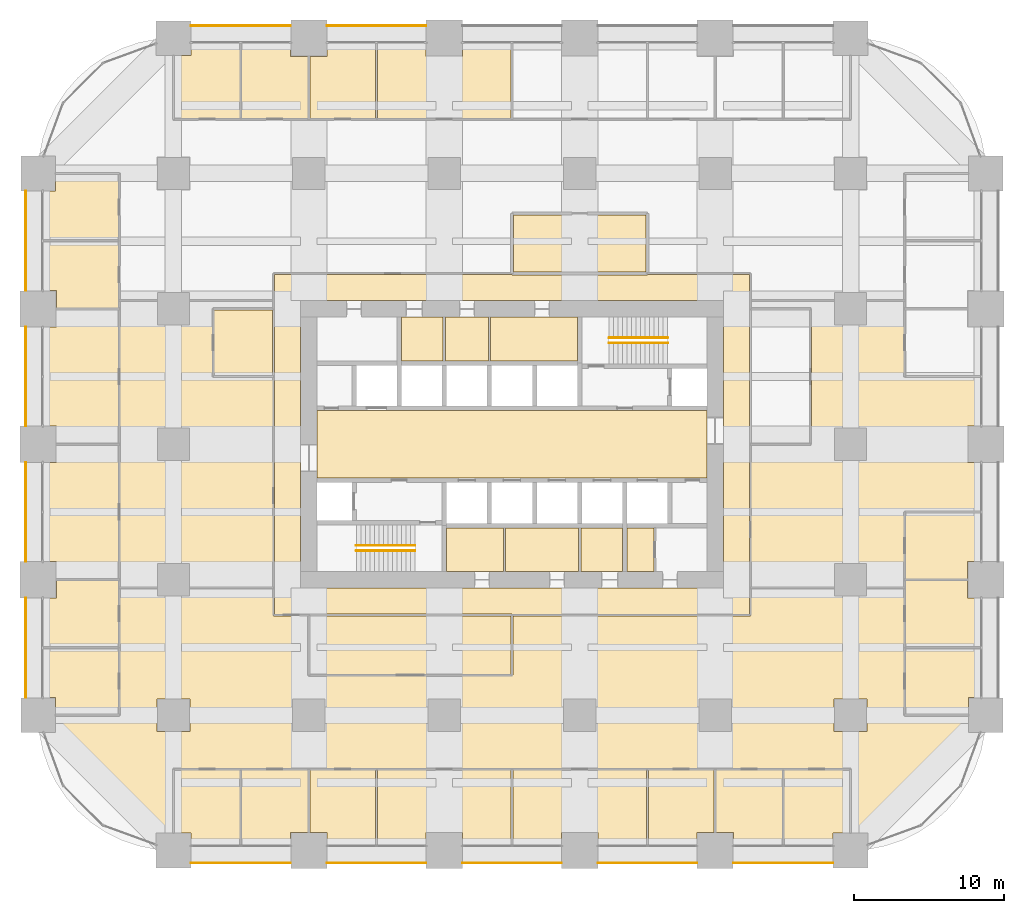
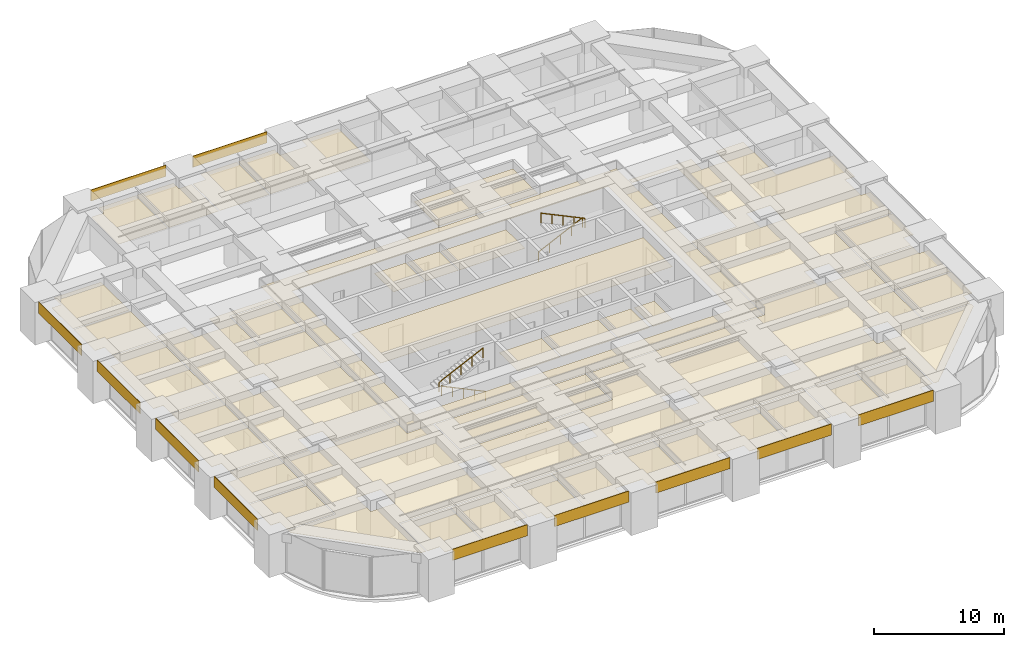
# One storey, part 44 of 45: 47 coverings, 4 railings.
"""IFC4 building model written with IfcOpenShell, lengths in metres."""

from ifc_helpers import new_model, si_unit, direction, frame, frame_2d, origin, origin_2d, place, context, subcontext, project, spatial, polyline, rectangle, circle, outline, extrude, material, layer, layer_set, type_object, element, save


model = new_model("IFC4")

# Units and contexts
model_context = context("Model", 3, precision=1e-05, world=origin(), true_north=direction((0.0, 1.0)))
body_context = subcontext(model_context, "Body", "Model", "MODEL_VIEW")
ifc_project = project(units=[si_unit("LENGTHUNIT", "METRE"), si_unit("AREAUNIT", "SQUARE_METRE"), si_unit("VOLUMEUNIT", "CUBIC_METRE"), si_unit("PLANEANGLEUNIT", "RADIAN"), si_unit("MASSUNIT", "GRAM", prefix="KILO")], contexts=[model_context])

# Site, building, storey
site_placement = place(None, origin())
site = spatial("IfcSite", under=ifc_project, at=site_placement, CompositionType="ELEMENT")
building_placement = place(site_placement, origin())
building = spatial("IfcBuilding", under=site, at=building_placement, Name="Zorevar Civic Tower", CompositionType="ELEMENT")
storey_placement = place(building_placement, frame((0.0, 0.0, 71.800048828125)))
storey = spatial("IfcBuildingStorey", under=building, at=storey_placement, Name="L17", CompositionType="ELEMENT", Elevation=71.800048828125)

# Railings
ifc_material_1 = material(Name="Black steel handrail", Category="steel")
railing_type = type_object("IfcRailingType", Name="Handrail HR1 900", PredefinedType="HANDRAIL", material=ifc_material_1)
railing_1_placement = place(storey_placement, frame((25.050048828125, 19.925048828125, 0.142822265625)))
element("IfcRailing", 1, at=railing_1_placement, inside=storey, type_object=railing_type, Name="Handrail HR1 ST1 L17", PredefinedType="HANDRAIL", context=body_context, shape_type="SweptSolid", body=[
    extrude(circle(Radius=0.02392578125, at=origin_2d()), frame((0.0, 0.0, 0.8759765625), z_axis=(-0.902863652845, 0.0, 0.429926998885), x_axis=(0.0, -1.0, 0.0)), (0.0, 0.0, 1.0), 4.31982421875),
    extrude(circle(Radius=0.02099609375, at=origin_2d()), origin(), (0.0, 0.0, 1.0), 0.851806640625),
    extrude(circle(Radius=0.02099609375, at=origin_2d()), frame((-0.97509765625, 0.0, 0.46435546875)), (0.0, 0.0, 1.0), 0.851806640625),
    extrude(circle(Radius=0.02099609375, at=origin_2d()), frame((-1.9501953125, 0.0, 0.9287109375)), (0.0, 0.0, 1.0), 0.851806640625),
    extrude(circle(Radius=0.02099609375, at=origin_2d()), frame((-2.925048828125, 0.0, 1.392822265625)), (0.0, 0.0, 1.0), 0.851806640625),
    extrude(circle(Radius=0.02099609375, at=origin_2d()), frame((-3.900146484375, 0.0, 1.857177734375)), (0.0, 0.0, 1.0), 0.851806640625),
])
for number, where, name in (
    (2, (21.14990234375, 20.27490234375, 2.142822265625), "Handrail HR1 ST1 L17"),
    (3, (37.949951171875, 34.074951171875, 0.142822265625), "Handrail HR1 ST2 L17"),
):
    element("IfcRailing", number, at=place(storey_placement, frame(where)), inside=storey, type_object=railing_type, Name=name, PredefinedType="HANDRAIL", context=body_context, shape_type="SweptSolid", body=[
        extrude(circle(Radius=0.02392578125, at=origin_2d()), frame((0.0, 0.0, 0.8759765625), z_axis=(0.902863652845, 0.0, 0.429926998885), x_axis=(0.0, 1.0, 0.0)), (0.0, 0.0, 1.0), 4.31982421875),
        extrude(circle(Radius=0.02099609375, at=origin_2d()), origin(), (0.0, 0.0, 1.0), 0.851806640625),
        extrude(circle(Radius=0.02099609375, at=origin_2d()), frame((0.97509765625, 0.0, 0.46435546875)), (0.0, 0.0, 1.0), 0.851806640625),
        extrude(circle(Radius=0.02099609375, at=origin_2d()), frame((1.9501953125, 0.0, 0.9287109375)), (0.0, 0.0, 1.0), 0.851806640625),
        extrude(circle(Radius=0.02099609375, at=origin_2d()), frame((2.925048828125, 0.0, 1.392822265625)), (0.0, 0.0, 1.0), 0.851806640625),
        extrude(circle(Radius=0.02099609375, at=origin_2d()), frame((3.900146484375, 0.0, 1.857177734375)), (0.0, 0.0, 1.0), 0.851806640625),
    ])
railing_2_placement = place(storey_placement, frame((41.85009765625, 33.72509765625, 2.142822265625)))
element("IfcRailing", 4, at=railing_2_placement, inside=storey, type_object=railing_type, Name="Handrail HR1 ST2 L17", PredefinedType="HANDRAIL", context=body_context, shape_type="SweptSolid", body=[
    extrude(circle(Radius=0.02392578125, at=origin_2d()), frame((0.0, 0.0, 0.8759765625), z_axis=(-0.902863652845, 0.0, 0.429926998885), x_axis=(0.0, -1.0, 0.0)), (0.0, 0.0, 1.0), 4.31982421875),
    extrude(circle(Radius=0.02099609375, at=origin_2d()), origin(), (0.0, 0.0, 1.0), 0.851806640625),
    extrude(circle(Radius=0.02099609375, at=origin_2d()), frame((-0.97509765625, 0.0, 0.46435546875)), (0.0, 0.0, 1.0), 0.851806640625),
    extrude(circle(Radius=0.02099609375, at=origin_2d()), frame((-1.9501953125, 0.0, 0.9287109375)), (0.0, 0.0, 1.0), 0.851806640625),
    extrude(circle(Radius=0.02099609375, at=origin_2d()), frame((-2.925048828125, 0.0, 1.392822265625)), (0.0, 0.0, 1.0), 0.851806640625),
    extrude(circle(Radius=0.02099609375, at=origin_2d()), frame((-3.900146484375, 0.0, 1.857177734375)), (0.0, 0.0, 1.0), 0.851806640625),
])

# Coverings
ifc_material_2 = material(Name="Moisture-resistant gypsum board")
ifc_layer_1 = layer(ifc_material_2, 0.012451171875)
ifc_layer_set_1 = layer_set([ifc_layer_1], Name="Moisture-resistant ceiling SC3")
covering_type_1 = type_object("IfcCoveringType", Name="Moisture-resistant ceiling SC3", PredefinedType="CEILING", material=ifc_layer_set_1)
covering_1_placement = place(storey_placement, frame((0.0, 0.0, 3.0)))
element("IfcCovering", 5, at=covering_1_placement, inside=storey, type_object=covering_type_1, Name="Ceiling L17-05", PredefinedType="CEILING", context=body_context, shape_type="SweptSolid", body=[
    extrude(outline(polyline([(30.925048828125, 18.550048828125), (30.925048828125, 21.449951171875), (27.14990234375, 21.449951171875), (27.14990234375, 18.550048828125), (30.925048828125, 18.550048828125)])), origin(), (0.0, 0.0, 1.0), 0.012451171875),
])
covering_2_placement = place(storey_placement, frame((0.0, 0.0, 3.0)))
element("IfcCovering", 6, at=covering_2_placement, inside=storey, type_object=covering_type_1, Name="Ceiling L17-06", PredefinedType="CEILING", context=body_context, shape_type="SweptSolid", body=[
    extrude(outline(polyline([(35.925048828125, 18.550048828125), (35.925048828125, 21.449951171875), (31.074951171875, 21.449951171875), (31.074951171875, 18.550048828125), (35.925048828125, 18.550048828125)])), origin(), (0.0, 0.0, 1.0), 0.012451171875),
])
covering_3_placement = place(storey_placement, frame((0.0, 0.0, 3.0)))
element("IfcCovering", 7, at=covering_3_placement, inside=storey, type_object=covering_type_1, Name="Ceiling L17-07", PredefinedType="CEILING", context=body_context, shape_type="SweptSolid", body=[
    extrude(outline(polyline([(38.85009765625, 18.550048828125), (38.85009765625, 21.449951171875), (36.074951171875, 21.449951171875), (36.074951171875, 18.550048828125), (38.85009765625, 18.550048828125)])), origin(), (0.0, 0.0, 1.0), 0.012451171875),
])
covering_4_placement = place(storey_placement, frame((0.0, 0.0, 3.0)))
element("IfcCovering", 8, at=covering_4_placement, inside=storey, type_object=covering_type_1, Name="Ceiling L17-10", PredefinedType="CEILING", context=body_context, shape_type="SweptSolid", body=[
    extrude(outline(polyline([(26.925048828125, 32.550048828125), (26.925048828125, 35.449951171875), (24.14990234375, 35.449951171875), (24.14990234375, 32.550048828125), (26.925048828125, 32.550048828125)])), origin(), (0.0, 0.0, 1.0), 0.012451171875),
])
ifc_material_3 = material(Name="Black anodised aluminium spandrel panel", Category="aluminium")
ifc_layer_2 = layer(ifc_material_3, 0.050048828125)
ifc_layer_set_2 = layer_set([ifc_layer_2], Name="Spandrel cladding SP1")
covering_type_2 = type_object("IfcCoveringType", Name="Spandrel cladding SP1", PredefinedType="CLADDING", material=ifc_layer_set_2)
covering_5_placement = place(storey_placement, frame((10.14990234375, -0.824951171875, 2.949951171875), z_axis=(0.0, 0.0, 1.0), x_axis=(1.0, 0.0, 0.0)))
element("IfcCovering", 9, at=covering_5_placement, inside=storey, type_object=covering_type_2, Name="Spandrel cladding L18", PredefinedType="CLADDING", context=body_context, shape_type="SweptSolid", body=[
    extrude(rectangle(XDim=6.650146484375, YDim=0.050048828125, at=frame_2d((3.3251953125, 0.0))), origin(), (0.0, 0.0, 1.0), 1.050048828125),
])
for number, where, z_axis, x_axis, name in (
    (10, (19.199951171875, -0.824951171875, 2.949951171875), (0.0, 0.0, 1.0), (1.0, 0.0, 0.0), "Spandrel cladding L18"),
    (11, (28.199951171875, -0.824951171875, 2.949951171875), (0.0, 0.0, 1.0), (1.0, 0.0, 0.0), "Spandrel cladding L18"),
    (12, (37.199951171875, -0.824951171875, 2.949951171875), (0.0, 0.0, 1.0), (1.0, 0.0, 0.0), "Spandrel cladding L18"),
):
    element("IfcCovering", number, at=place(storey_placement, frame(where, z_axis=z_axis, x_axis=x_axis)), inside=storey, type_object=covering_type_2, Name=name, PredefinedType="CLADDING", context=body_context, shape_type="SweptSolid", body=[
        extrude(rectangle(XDim=6.60009765625, YDim=0.050048828125, at=frame_2d((3.300048828125, 0.0))), origin(), (0.0, 0.0, 1.0), 1.050048828125),
    ])
for number, where, z_axis, x_axis, name in (
    (13, (46.199951171875, -0.824951171875, 2.949951171875), (0.0, 0.0, 1.0), (1.0, 0.0, 0.0), "Spandrel cladding L18"),
    (14, (10.14990234375, 54.824951171875, 2.949951171875), (0.0, 0.0, 1.0), (1.0, 0.0, 0.0), "Spandrel cladding L18"),
):
    element("IfcCovering", number, at=place(storey_placement, frame(where, z_axis=z_axis, x_axis=x_axis)), inside=storey, type_object=covering_type_2, Name=name, PredefinedType="CLADDING", context=body_context, shape_type="SweptSolid", body=[
        extrude(rectangle(XDim=6.650146484375, YDim=0.050048828125, at=frame_2d((3.3251953125, 0.0))), origin(), (0.0, 0.0, 1.0), 1.050048828125),
    ])
covering_6_placement = place(storey_placement, frame((19.199951171875, 54.824951171875, 2.949951171875), z_axis=(0.0, 0.0, 1.0), x_axis=(1.0, 0.0, 0.0)))
element("IfcCovering", 15, at=covering_6_placement, inside=storey, type_object=covering_type_2, Name="Spandrel cladding L18", PredefinedType="CLADDING", context=body_context, shape_type="SweptSolid", body=[
    extrude(rectangle(XDim=6.60009765625, YDim=0.050048828125, at=frame_2d((3.300048828125, 0.0))), origin(), (0.0, 0.0, 1.0), 1.050048828125),
])
covering_7_placement = place(storey_placement, frame((-0.824951171875, 10.14990234375, 2.949951171875), z_axis=(0.0, 0.0, 1.0), x_axis=(0.0, 1.0, 0.0)))
element("IfcCovering", 16, at=covering_7_placement, inside=storey, type_object=covering_type_2, Name="Spandrel cladding L18", PredefinedType="CLADDING", context=body_context, shape_type="SweptSolid", body=[
    extrude(rectangle(XDim=6.650146484375, YDim=0.050048828125, at=frame_2d((3.3251953125, 0.0))), origin(), (0.0, 0.0, 1.0), 1.050048828125),
])
for number, where, z_axis, x_axis, name in (
    (17, (-0.824951171875, 19.199951171875, 2.949951171875), (0.0, 0.0, 1.0), (0.0, 1.0, 0.0), "Spandrel cladding L18"),
    (18, (-0.824951171875, 28.199951171875, 2.949951171875), (0.0, 0.0, 1.0), (0.0, 1.0, 0.0), "Spandrel cladding L18"),
):
    element("IfcCovering", number, at=place(storey_placement, frame(where, z_axis=z_axis, x_axis=x_axis)), inside=storey, type_object=covering_type_2, Name=name, PredefinedType="CLADDING", context=body_context, shape_type="SweptSolid", body=[
        extrude(rectangle(XDim=6.60009765625, YDim=0.050048828125, at=frame_2d((3.300048828125, 0.0))), origin(), (0.0, 0.0, 1.0), 1.050048828125),
    ])
covering_8_placement = place(storey_placement, frame((-0.824951171875, 37.199951171875, 2.949951171875), z_axis=(0.0, 0.0, 1.0), x_axis=(0.0, 1.0, 0.0)))
element("IfcCovering", 19, at=covering_8_placement, inside=storey, type_object=covering_type_2, Name="Spandrel cladding L18", PredefinedType="CLADDING", context=body_context, shape_type="SweptSolid", body=[
    extrude(rectangle(XDim=6.650146484375, YDim=0.050048828125, at=frame_2d((3.3251953125, 0.0))), origin(), (0.0, 0.0, 1.0), 1.050048828125),
])
ifc_material_4 = material(Name="Mineral fibre tiles on a concealed grid")
ifc_layer_3 = layer(ifc_material_4, 0.02001953125)
ifc_layer_set_3 = layer_set([ifc_layer_3], Name="Suspended ceiling SC1")
covering_type_3 = type_object("IfcCoveringType", Name="Suspended ceiling SC1", PredefinedType="CEILING", material=ifc_layer_set_3)
covering_9_placement = place(storey_placement, frame((0.0, 0.0, 3.0)))
element("IfcCovering", 20, at=covering_9_placement, inside=storey, type_object=covering_type_3, Name="Ceiling L17-08", PredefinedType="CEILING", context=body_context, shape_type="SweptSolid", body=[
    extrude(outline(polyline([(35.85009765625, 32.550048828125), (35.85009765625, 35.449951171875), (30.06005859375, 35.449951171875), (30.06005859375, 32.550048828125), (35.85009765625, 32.550048828125)])), origin(), (0.0, 0.0, 1.0), 0.02001953125),
])
covering_10_placement = place(storey_placement, frame((0.0, 0.0, 3.0)))
element("IfcCovering", 21, at=covering_10_placement, inside=storey, type_object=covering_type_3, Name="Ceiling L17-09", PredefinedType="CEILING", context=body_context, shape_type="SweptSolid", body=[
    extrude(outline(polyline([(29.93994140625, 32.550048828125), (29.93994140625, 35.449951171875), (27.074951171875, 35.449951171875), (27.074951171875, 32.550048828125), (29.93994140625, 32.550048828125)])), origin(), (0.0, 0.0, 1.0), 0.02001953125),
])
covering_11_placement = place(storey_placement, frame((0.0, 0.0, 3.0)))
element("IfcCovering", 22, at=covering_11_placement, inside=storey, type_object=covering_type_3, Name="Ceiling L17-11", PredefinedType="CEILING", context=body_context, shape_type="SweptSolid", body=[
    extrude(outline(polyline([(40.93994140625, 18.550048828125), (40.93994140625, 21.449951171875), (39.14990234375, 21.449951171875), (39.14990234375, 18.550048828125), (40.93994140625, 18.550048828125)])), origin(), (0.0, 0.0, 1.0), 0.02001953125),
])
covering_12_placement = place(storey_placement, frame((0.0, 0.0, 3.0)))
element("IfcCovering", 23, at=covering_12_placement, inside=storey, type_object=covering_type_3, Name="Ceiling L17-16", PredefinedType="CEILING", context=body_context, shape_type="SweptSolid", body=[
    extrude(outline(polyline([(44.449951171875, 24.75), (44.449951171875, 29.25), (18.550048828125, 29.25), (18.550048828125, 24.75), (44.449951171875, 24.75)])), origin(), (0.0, 0.0, 1.0), 0.02001953125),
])
covering_13_placement = place(storey_placement, frame((0.0, 0.0, 3.0)))
element("IfcCovering", 24, at=covering_13_placement, inside=storey, type_object=covering_type_3, Name="Ceiling L17-17", PredefinedType="CEILING", context=body_context, shape_type="SweptSolid", body=[
    extrude(outline(polyline([(13.4150390625, 5.340087890625), (13.4150390625, 0.35009765625), (10.159912109375, 0.35009765625), (10.159912109375, 1.159912109375), (9.06005859375, 1.159912109375), (9.06005859375, 5.340087890625), (13.4150390625, 5.340087890625)])), origin(), (0.0, 0.0, 1.0), 0.02001953125),
])
covering_14_placement = place(storey_placement, frame((0.0, 0.0, 3.0)))
element("IfcCovering", 25, at=covering_14_placement, inside=storey, type_object=covering_type_3, Name="Ceiling L17-18", PredefinedType="CEILING", context=body_context, shape_type="SweptSolid", body=[
    extrude(outline(polyline([(17.93994140625, 5.340087890625), (17.93994140625, 1.2099609375), (16.7900390625, 1.2099609375), (16.7900390625, 0.35009765625), (13.534912109375, 0.35009765625), (13.534912109375, 5.340087890625), (17.93994140625, 5.340087890625)])), origin(), (0.0, 0.0, 1.0), 0.02001953125),
])
covering_15_placement = place(storey_placement, frame((0.0, 0.0, 3.0)))
element("IfcCovering", 26, at=covering_15_placement, inside=storey, type_object=covering_type_3, Name="Ceiling L17-19", PredefinedType="CEILING", context=body_context, shape_type="SweptSolid", body=[
    extrude(outline(polyline([(22.43994140625, 5.340087890625), (22.43994140625, 0.35009765625), (19.2099609375, 0.35009765625), (19.2099609375, 1.2099609375), (18.06005859375, 1.2099609375), (18.06005859375, 5.340087890625), (22.43994140625, 5.340087890625)])), origin(), (0.0, 0.0, 1.0), 0.02001953125),
])
covering_16_placement = place(storey_placement, frame((0.0, 0.0, 3.0)))
element("IfcCovering", 27, at=covering_16_placement, inside=storey, type_object=covering_type_3, Name="Ceiling L17-20", PredefinedType="CEILING", context=body_context, shape_type="SweptSolid", body=[
    extrude(outline(polyline([(31.43994140625, 5.340087890625), (31.43994140625, 0.35009765625), (28.2099609375, 0.35009765625), (28.2099609375, 1.2099609375), (25.7900390625, 1.2099609375), (25.7900390625, 0.35009765625), (22.56005859375, 0.35009765625), (22.56005859375, 5.340087890625), (31.43994140625, 5.340087890625)])), origin(), (0.0, 0.0, 1.0), 0.02001953125),
])
covering_17_placement = place(storey_placement, frame((0.0, 0.0, 3.0)))
element("IfcCovering", 28, at=covering_17_placement, inside=storey, type_object=covering_type_3, Name="Ceiling L17-21", PredefinedType="CEILING", context=body_context, shape_type="SweptSolid", body=[
    extrude(outline(polyline([(40.43994140625, 5.340087890625), (40.43994140625, 0.35009765625), (37.2099609375, 0.35009765625), (37.2099609375, 1.2099609375), (34.7900390625, 1.2099609375), (34.7900390625, 0.35009765625), (31.56005859375, 0.35009765625), (31.56005859375, 5.340087890625), (40.43994140625, 5.340087890625)])), origin(), (0.0, 0.0, 1.0), 0.02001953125),
])
covering_18_placement = place(storey_placement, frame((0.0, 0.0, 3.0)))
element("IfcCovering", 29, at=covering_18_placement, inside=storey, type_object=covering_type_3, Name="Ceiling L17-22", PredefinedType="CEILING", context=body_context, shape_type="SweptSolid", body=[
    extrude(outline(polyline([(44.93994140625, 5.340087890625), (44.93994140625, 1.2099609375), (43.7900390625, 1.2099609375), (43.7900390625, 0.35009765625), (40.56005859375, 0.35009765625), (40.56005859375, 5.340087890625), (44.93994140625, 5.340087890625)])), origin(), (0.0, 0.0, 1.0), 0.02001953125),
])
covering_19_placement = place(storey_placement, frame((0.0, 0.0, 3.0)))
element("IfcCovering", 30, at=covering_19_placement, inside=storey, type_object=covering_type_3, Name="Ceiling L17-23", PredefinedType="CEILING", context=body_context, shape_type="SweptSolid", body=[
    extrude(outline(polyline([(49.465087890625, 5.340087890625), (49.465087890625, 0.35009765625), (46.2099609375, 0.35009765625), (46.2099609375, 1.2099609375), (45.06005859375, 1.2099609375), (45.06005859375, 5.340087890625), (49.465087890625, 5.340087890625)])), origin(), (0.0, 0.0, 1.0), 0.02001953125),
])
covering_20_placement = place(storey_placement, frame((0.0, 0.0, 3.0)))
element("IfcCovering", 31, at=covering_20_placement, inside=storey, type_object=covering_type_3, Name="Ceiling L17-24", PredefinedType="CEILING", context=body_context, shape_type="SweptSolid", body=[
    extrude(outline(polyline([(53.93994140625, 5.340087890625), (53.93994140625, 1.159912109375), (52.840087890625, 1.159912109375), (52.840087890625, 0.35009765625), (49.5849609375, 0.35009765625), (49.5849609375, 5.340087890625), (53.93994140625, 5.340087890625)])), origin(), (0.0, 0.0, 1.0), 0.02001953125),
])
covering_21_placement = place(storey_placement, frame((0.0, 0.0, 3.0)))
element("IfcCovering", 32, at=covering_21_placement, inside=storey, type_object=covering_type_3, Name="Ceiling L17-25", PredefinedType="CEILING", context=body_context, shape_type="SweptSolid", body=[
    extrude(outline(polyline([(9.06005859375, 48.659912109375), (9.06005859375, 52.840087890625), (10.159912109375, 52.840087890625), (10.159912109375, 53.64990234375), (13.4150390625, 53.64990234375), (13.4150390625, 48.659912109375), (9.06005859375, 48.659912109375)])), origin(), (0.0, 0.0, 1.0), 0.02001953125),
])
covering_22_placement = place(storey_placement, frame((0.0, 0.0, 3.0)))
element("IfcCovering", 33, at=covering_22_placement, inside=storey, type_object=covering_type_3, Name="Ceiling L17-26", PredefinedType="CEILING", context=body_context, shape_type="SweptSolid", body=[
    extrude(outline(polyline([(13.534912109375, 48.659912109375), (13.534912109375, 53.64990234375), (16.7900390625, 53.64990234375), (16.7900390625, 52.7900390625), (17.93994140625, 52.7900390625), (17.93994140625, 48.659912109375), (13.534912109375, 48.659912109375)])), origin(), (0.0, 0.0, 1.0), 0.02001953125),
])
covering_23_placement = place(storey_placement, frame((0.0, 0.0, 3.0)))
element("IfcCovering", 34, at=covering_23_placement, inside=storey, type_object=covering_type_3, Name="Ceiling L17-27", PredefinedType="CEILING", context=body_context, shape_type="SweptSolid", body=[
    extrude(outline(polyline([(18.06005859375, 48.659912109375), (18.06005859375, 52.7900390625), (19.2099609375, 52.7900390625), (19.2099609375, 53.64990234375), (22.43994140625, 53.64990234375), (22.43994140625, 48.659912109375), (18.06005859375, 48.659912109375)])), origin(), (0.0, 0.0, 1.0), 0.02001953125),
])
covering_24_placement = place(storey_placement, frame((0.0, 0.0, 3.0)))
element("IfcCovering", 35, at=covering_24_placement, inside=storey, type_object=covering_type_3, Name="Ceiling L17-28", PredefinedType="CEILING", context=body_context, shape_type="SweptSolid", body=[
    extrude(outline(polyline([(22.56005859375, 48.659912109375), (22.56005859375, 53.64990234375), (25.7900390625, 53.64990234375), (25.7900390625, 52.7900390625), (28.2099609375, 52.7900390625), (28.2099609375, 53.64990234375), (31.43994140625, 53.64990234375), (31.43994140625, 48.659912109375), (22.56005859375, 48.659912109375)])), origin(), (0.0, 0.0, 1.0), 0.02001953125),
])
covering_25_placement = place(storey_placement, frame((0.0, 0.0, 3.0)))
element("IfcCovering", 36, at=covering_25_placement, inside=storey, type_object=covering_type_3, Name="Ceiling L17-33", PredefinedType="CEILING", context=body_context, shape_type="SweptSolid", body=[
    extrude(outline(polyline([(5.340087890625, 9.06005859375), (1.159912109375, 9.06005859375), (1.159912109375, 10.159912109375), (0.35009765625, 10.159912109375), (0.35009765625, 13.4150390625), (5.340087890625, 13.4150390625), (5.340087890625, 9.06005859375)])), origin(), (0.0, 0.0, 1.0), 0.02001953125),
])
covering_26_placement = place(storey_placement, frame((0.0, 0.0, 3.0)))
element("IfcCovering", 37, at=covering_26_placement, inside=storey, type_object=covering_type_3, Name="Ceiling L17-34", PredefinedType="CEILING", context=body_context, shape_type="SweptSolid", body=[
    extrude(outline(polyline([(5.340087890625, 13.534912109375), (0.35009765625, 13.534912109375), (0.35009765625, 16.7900390625), (1.2099609375, 16.7900390625), (1.2099609375, 17.93994140625), (5.340087890625, 17.93994140625), (5.340087890625, 13.534912109375)])), origin(), (0.0, 0.0, 1.0), 0.02001953125),
])
covering_27_placement = place(storey_placement, frame((0.0, 0.0, 3.0)))
element("IfcCovering", 38, at=covering_27_placement, inside=storey, type_object=covering_type_3, Name="Ceiling L17-35", PredefinedType="CEILING", context=body_context, shape_type="SweptSolid", body=[
    extrude(outline(polyline([(1.2099609375, 19.2099609375), (0.35009765625, 19.2099609375), (0.35009765625, 25.7900390625), (1.2099609375, 25.7900390625), (1.2099609375, 26.93994140625), (5.340087890625, 26.93994140625), (5.340087890625, 18.06005859375), (1.2099609375, 18.06005859375), (1.2099609375, 19.2099609375)])), origin(), (0.0, 0.0, 1.0), 0.02001953125),
])
covering_28_placement = place(storey_placement, frame((0.0, 0.0, 3.0)))
element("IfcCovering", 39, at=covering_28_placement, inside=storey, type_object=covering_type_3, Name="Ceiling L17-36", PredefinedType="CEILING", context=body_context, shape_type="SweptSolid", body=[
    extrude(outline(polyline([(1.2099609375, 28.2099609375), (0.35009765625, 28.2099609375), (0.35009765625, 34.7900390625), (1.2099609375, 34.7900390625), (1.2099609375, 35.93994140625), (5.340087890625, 35.93994140625), (5.340087890625, 27.06005859375), (1.2099609375, 27.06005859375), (1.2099609375, 28.2099609375)])), origin(), (0.0, 0.0, 1.0), 0.02001953125),
])
covering_29_placement = place(storey_placement, frame((0.0, 0.0, 3.0)))
element("IfcCovering", 40, at=covering_29_placement, inside=storey, type_object=covering_type_3, Name="Ceiling L17-37", PredefinedType="CEILING", context=body_context, shape_type="SweptSolid", body=[
    extrude(outline(polyline([(5.340087890625, 36.06005859375), (1.2099609375, 36.06005859375), (1.2099609375, 37.2099609375), (0.35009765625, 37.2099609375), (0.35009765625, 40.465087890625), (5.340087890625, 40.465087890625), (5.340087890625, 36.06005859375)])), origin(), (0.0, 0.0, 1.0), 0.02001953125),
])
covering_30_placement = place(storey_placement, frame((0.0, 0.0, 3.0)))
element("IfcCovering", 41, at=covering_30_placement, inside=storey, type_object=covering_type_3, Name="Ceiling L17-38", PredefinedType="CEILING", context=body_context, shape_type="SweptSolid", body=[
    extrude(outline(polyline([(5.340087890625, 40.5849609375), (0.35009765625, 40.5849609375), (0.35009765625, 43.840087890625), (1.159912109375, 43.840087890625), (1.159912109375, 44.93994140625), (5.340087890625, 44.93994140625), (5.340087890625, 40.5849609375)])), origin(), (0.0, 0.0, 1.0), 0.02001953125),
])
covering_31_placement = place(storey_placement, frame((0.0, 0.0, 3.0)))
element("IfcCovering", 42, at=covering_31_placement, inside=storey, type_object=covering_type_3, Name="Ceiling L17-39", PredefinedType="CEILING", context=body_context, shape_type="SweptSolid", body=[
    extrude(outline(polyline([(57.659912109375, 13.4150390625), (62.64990234375, 13.4150390625), (62.64990234375, 10.159912109375), (61.840087890625, 10.159912109375), (61.840087890625, 9.06005859375), (57.659912109375, 9.06005859375), (57.659912109375, 13.4150390625)])), origin(), (0.0, 0.0, 1.0), 0.02001953125),
])
covering_32_placement = place(storey_placement, frame((0.0, 0.0, 3.0)))
element("IfcCovering", 43, at=covering_32_placement, inside=storey, type_object=covering_type_3, Name="Ceiling L17-40", PredefinedType="CEILING", context=body_context, shape_type="SweptSolid", body=[
    extrude(outline(polyline([(57.659912109375, 17.93994140625), (61.7900390625, 17.93994140625), (61.7900390625, 16.7900390625), (62.64990234375, 16.7900390625), (62.64990234375, 13.534912109375), (57.659912109375, 13.534912109375), (57.659912109375, 17.93994140625)])), origin(), (0.0, 0.0, 1.0), 0.02001953125),
])
covering_33_placement = place(storey_placement, frame((0.0, 0.0, 3.0)))
element("IfcCovering", 44, at=covering_33_placement, inside=storey, type_object=covering_type_3, Name="Ceiling L17-41", PredefinedType="CEILING", context=body_context, shape_type="SweptSolid", body=[
    extrude(outline(polyline([(57.659912109375, 22.43994140625), (62.64990234375, 22.43994140625), (62.64990234375, 19.2099609375), (61.7900390625, 19.2099609375), (61.7900390625, 18.06005859375), (57.659912109375, 18.06005859375), (57.659912109375, 22.43994140625)])), origin(), (0.0, 0.0, 1.0), 0.02001953125),
])
covering_34_placement = place(storey_placement, frame((0.0, 0.0, 3.0)))
element("IfcCovering", 45, at=covering_34_placement, inside=storey, type_object=covering_type_3, Name="Ceiling L17-45", PredefinedType="CEILING", context=body_context, shape_type="SweptSolid", body=[
    extrude(outline(polyline([(18.06005859375, 15.590087890625), (31.43994140625, 15.590087890625), (31.43994140625, 11.7099609375), (18.06005859375, 11.7099609375), (18.06005859375, 15.590087890625)])), origin(), (0.0, 0.0, 1.0), 0.02001953125),
])
covering_35_placement = place(storey_placement, frame((0.0, 0.0, 3.0)))
element("IfcCovering", 46, at=covering_35_placement, inside=storey, type_object=covering_type_3, Name="Ceiling L17-46", PredefinedType="CEILING", context=body_context, shape_type="SweptSolid", body=[
    extrude(outline(polyline([(40.39990234375, 42.25), (40.39990234375, 38.449951171875), (31.60009765625, 38.449951171875), (31.60009765625, 42.25), (40.39990234375, 42.25)])), origin(), (0.0, 0.0, 1.0), 0.02001953125),
])
covering_36_placement = place(storey_placement, frame((0.0, 0.0, 3.0)))
element("IfcCovering", 47, at=covering_36_placement, inside=storey, type_object=covering_type_3, Name="Ceiling L17-48", PredefinedType="CEILING", context=body_context, shape_type="SweptSolid", body=[
    extrude(outline(polyline([(11.7099609375, 35.93994140625), (15.590087890625, 35.93994140625), (15.590087890625, 31.56005859375), (11.7099609375, 31.56005859375), (11.7099609375, 35.93994140625)])), origin(), (0.0, 0.0, 1.0), 0.02001953125),
])
covering_37_placement = place(storey_placement, frame((0.0, 0.0, 3.0)))
element("IfcCovering", 48, at=covering_37_placement, inside=storey, type_object=covering_type_3, Name="Ceiling L17-49", PredefinedType="CEILING", context=body_context, shape_type="SweptSolid", body=[
    extrude(outline(polyline([(15.699951171875, 38.300048828125), (31.5, 38.300048828125), (31.5, 38.25), (40.5, 38.25), (40.5, 38.300048828125), (47.300048828125, 38.300048828125), (47.300048828125, 36.0), (47.2900390625, 36.0), (47.2900390625, 27.0), (47.300048828125, 27.0), (47.300048828125, 15.699951171875), (31.5, 15.699951171875), (31.5, 15.7099609375), (18.0, 15.7099609375), (18.0, 15.699951171875), (15.699951171875, 15.699951171875), (15.699951171875, 31.5), (15.7099609375, 31.5), (15.7099609375, 36.0), (15.699951171875, 36.0), (15.699951171875, 38.300048828125)]), holes=[polyline([(45.550048828125, 17.449951171875), (45.550048828125, 36.550048828125), (17.449951171875, 36.550048828125), (17.449951171875, 17.449951171875), (45.550048828125, 17.449951171875)])]), origin(), (0.0, 0.0, 1.0), 0.02001953125),
])
covering_38_placement = place(storey_placement, frame((0.0, 0.0, 3.0)))
element("IfcCovering", 49, at=covering_38_placement, inside=storey, type_object=covering_type_3, Name="Ceiling L17-50", PredefinedType="CEILING", context=body_context, shape_type="SweptSolid", body=[
    extrude(outline(polyline([(52.9150390625, 17.5), (47.39990234375, 17.5), (47.39990234375, 26.93994140625), (51.35009765625, 26.93994140625), (51.35009765625, 27.0), (51.39990234375, 27.0), (51.39990234375, 36.0), (51.35009765625, 36.0), (51.35009765625, 36.06005859375), (47.39990234375, 36.06005859375), (47.39990234375, 36.5), (52.9150390625, 36.5), (52.9150390625, 34.9150390625), (55.0849609375, 34.9150390625), (55.0849609375, 36.5), (57.5400390625, 36.5), (57.5400390625, 31.5), (57.60009765625, 31.5), (57.60009765625, 31.43994140625), (62.64990234375, 31.43994140625), (62.64990234375, 28.2099609375), (61.7900390625, 28.2099609375), (61.7900390625, 25.7900390625), (62.64990234375, 25.7900390625), (62.64990234375, 22.56005859375), (57.60009765625, 22.56005859375), (57.60009765625, 22.5), (57.5400390625, 22.5), (57.5400390625, 17.5), (55.0849609375, 17.5), (55.0849609375, 19.0849609375), (52.9150390625, 19.0849609375), (52.9150390625, 17.5)]), holes=[polyline([(52.9150390625, 25.9150390625), (55.0849609375, 25.9150390625), (55.0849609375, 28.0849609375), (52.9150390625, 28.0849609375), (52.9150390625, 25.9150390625)])]), origin(), (0.0, 0.0, 1.0), 0.02001953125),
])
covering_39_placement = place(storey_placement, frame((0.0, 0.0, 3.0)))
element("IfcCovering", 50, at=covering_39_placement, inside=storey, type_object=covering_type_3, Name="Ceiling L17-52", PredefinedType="CEILING", context=body_context, shape_type="SweptSolid", body=[
    extrude(outline(polyline([(18.0, 11.64990234375), (18.0, 11.590087890625), (31.5, 11.590087890625), (31.5, 11.64990234375), (31.56005859375, 11.64990234375), (31.56005859375, 15.60009765625), (47.35009765625, 15.60009765625), (47.35009765625, 15.64990234375), (47.39990234375, 15.64990234375), (47.39990234375, 17.39990234375), (52.9150390625, 17.39990234375), (52.9150390625, 16.9150390625), (55.0849609375, 16.9150390625), (55.0849609375, 17.39990234375), (57.5400390625, 17.39990234375), (57.5400390625, 9.0), (57.60009765625, 9.0), (57.60009765625, 8.93994140625), (61.840087890625, 8.93994140625), (61.840087890625, 8.547119140625), (54.452880859375, 1.159912109375), (54.06005859375, 1.159912109375), (54.06005859375, 5.39990234375), (54.0, 5.39990234375), (54.0, 5.4599609375), (9.0, 5.4599609375), (9.0, 5.39990234375), (8.93994140625, 5.39990234375), (8.93994140625, 1.159912109375), (8.547119140625, 1.159912109375), (1.159912109375, 8.547119140625), (1.159912109375, 8.93994140625), (5.39990234375, 8.93994140625), (5.39990234375, 9.0), (5.4599609375, 9.0), (5.4599609375, 17.39990234375), (7.9150390625, 17.39990234375), (7.9150390625, 16.9150390625), (10.0849609375, 16.9150390625), (10.0849609375, 17.39990234375), (15.60009765625, 17.39990234375), (15.60009765625, 15.64990234375), (15.64990234375, 15.64990234375), (15.64990234375, 15.60009765625), (17.93994140625, 15.60009765625), (17.93994140625, 11.64990234375), (18.0, 11.64990234375)]), holes=[polyline([(10.0849609375, 7.9150390625), (10.0849609375, 10.0849609375), (7.9150390625, 10.0849609375), (7.9150390625, 7.9150390625), (10.0849609375, 7.9150390625)]), polyline([(16.9150390625, 10.0849609375), (16.9150390625, 7.9150390625), (19.0849609375, 7.9150390625), (19.0849609375, 10.0849609375), (16.9150390625, 10.0849609375)]), polyline([(28.0849609375, 10.0849609375), (25.9150390625, 10.0849609375), (25.9150390625, 7.9150390625), (28.0849609375, 7.9150390625), (28.0849609375, 10.0849609375)]), polyline([(37.0849609375, 7.9150390625), (37.0849609375, 10.0849609375), (34.9150390625, 10.0849609375), (34.9150390625, 7.9150390625), (37.0849609375, 7.9150390625)]), polyline([(43.9150390625, 7.9150390625), (46.0849609375, 7.9150390625), (46.0849609375, 10.0849609375), (43.9150390625, 10.0849609375), (43.9150390625, 7.9150390625)]), polyline([(55.0849609375, 10.0849609375), (52.9150390625, 10.0849609375), (52.9150390625, 7.9150390625), (55.0849609375, 7.9150390625), (55.0849609375, 10.0849609375)])]), origin(), (0.0, 0.0, 1.0), 0.02001953125),
])
covering_40_placement = place(storey_placement, frame((0.0, 0.0, 3.0)))
element("IfcCovering", 51, at=covering_40_placement, inside=storey, type_object=covering_type_3, Name="Ceiling L17-53", PredefinedType="CEILING", context=body_context, shape_type="SweptSolid", body=[
    extrude(outline(polyline([(15.60009765625, 36.5), (15.60009765625, 36.06005859375), (11.64990234375, 36.06005859375), (11.64990234375, 36.0), (11.590087890625, 36.0), (11.590087890625, 31.5), (11.64990234375, 31.5), (11.64990234375, 31.43994140625), (15.60009765625, 31.43994140625), (15.60009765625, 17.5), (10.0849609375, 17.5), (10.0849609375, 19.0849609375), (7.9150390625, 19.0849609375), (7.9150390625, 17.5), (5.4599609375, 17.5), (5.4599609375, 36.5), (7.9150390625, 36.5), (7.9150390625, 34.9150390625), (10.0849609375, 34.9150390625), (10.0849609375, 36.5), (15.60009765625, 36.5)]), holes=[polyline([(7.9150390625, 28.0849609375), (7.9150390625, 25.9150390625), (10.0849609375, 25.9150390625), (10.0849609375, 28.0849609375), (7.9150390625, 28.0849609375)])]), origin(), (0.0, 0.0, 1.0), 0.02001953125),
])

save(model, "model.ifc")
